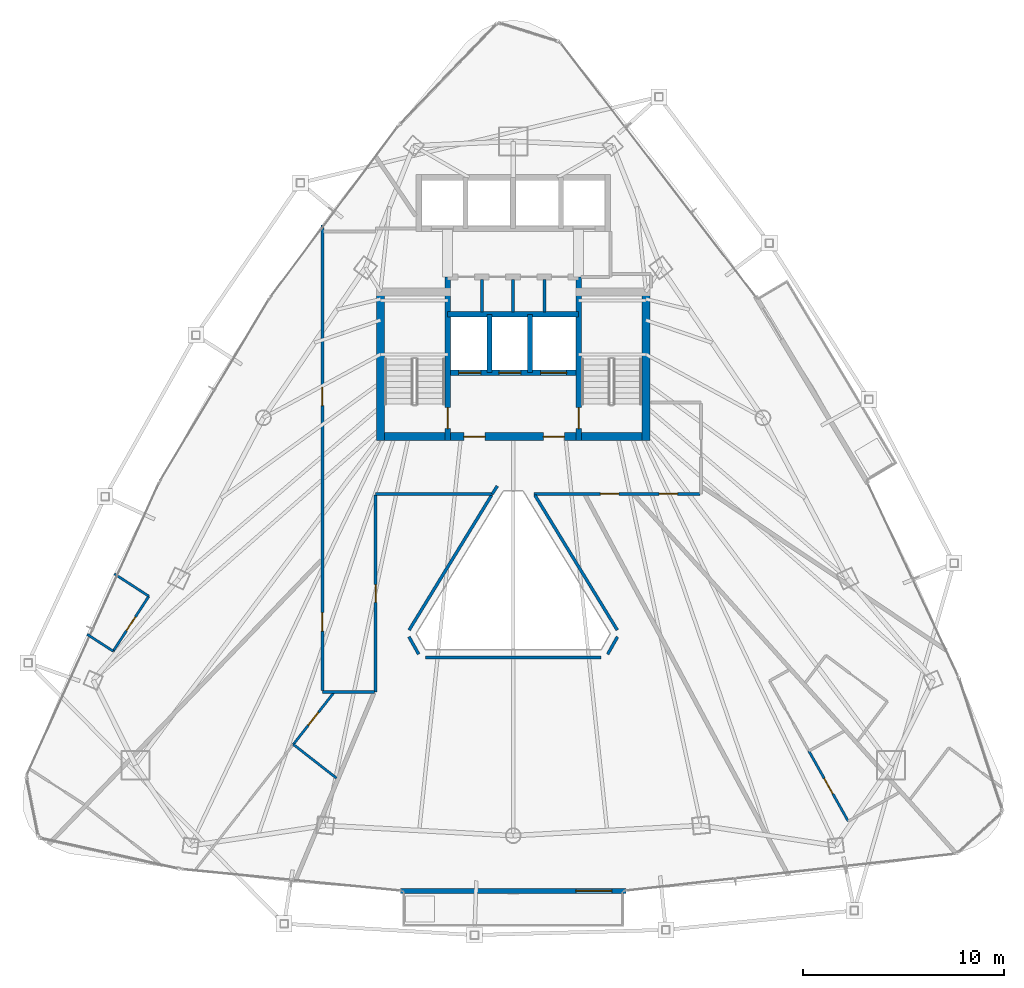
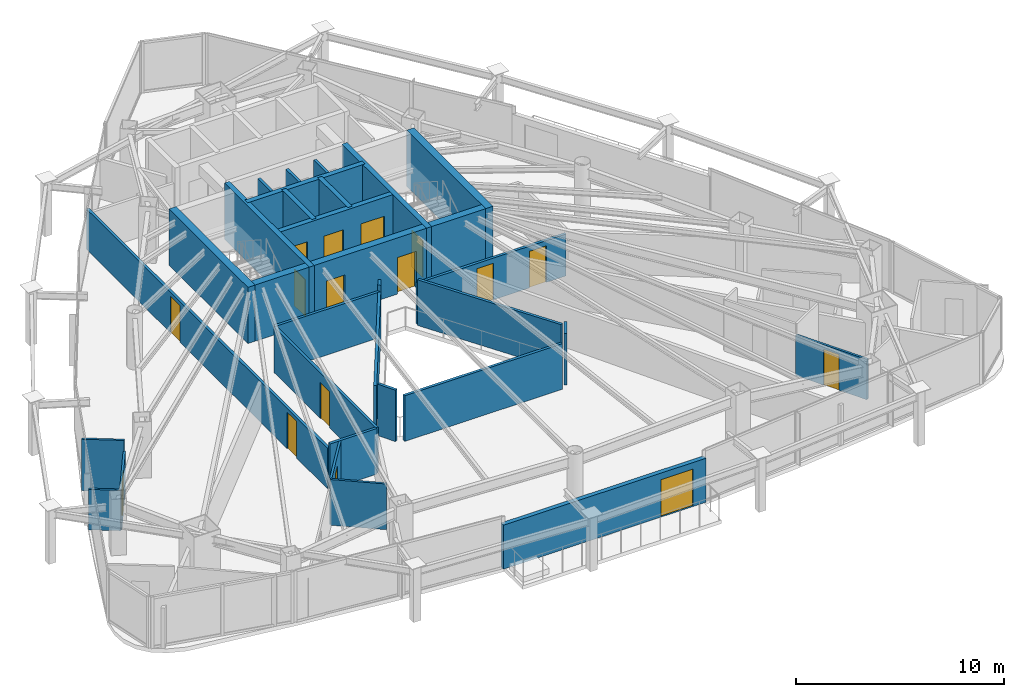
# One storey, part 26 of 31: 30 walls, 16 doors, 16 openings.
"""IFC4 building model written with IfcOpenShell, lengths in metres."""

from ifc_helpers import new_model, si_unit, direction, frame, frame_2d, origin, place, context, subcontext, project, spatial, rectangle, extrude, material, layer, layer_set, type_object, element, fill, save


model = new_model("IFC4")

# Units and contexts
model_context = context("Model", 3, precision=1e-05, world=origin(), true_north=direction((0.0, 1.0)))
body_context = subcontext(model_context, "Body", "Model", "MODEL_VIEW")
ifc_project = project(units=[si_unit("LENGTHUNIT", "METRE"), si_unit("AREAUNIT", "SQUARE_METRE"), si_unit("VOLUMEUNIT", "CUBIC_METRE"), si_unit("PLANEANGLEUNIT", "RADIAN"), si_unit("MASSUNIT", "GRAM", prefix="KILO")], contexts=[model_context])

# Site, building, storey
site_placement = place(None, origin())
site = spatial("IfcSite", under=ifc_project, at=site_placement, CompositionType="ELEMENT")
building_placement = place(site_placement, origin())
building = spatial("IfcBuilding", under=site, at=building_placement, Name="Orvanel Arch Residences", CompositionType="ELEMENT")
storey_placement = place(building_placement, frame((0.0, 0.0, 183.64990234375)))
storey = spatial("IfcBuildingStorey", under=building, at=storey_placement, Name="L52", CompositionType="ELEMENT", Elevation=183.64990234375)

# Wall, opening, door
ifc_material_1 = material(Name="Precast concrete N50 (50 MPa)", Category="concrete")
ifc_layer_1 = layer(ifc_material_1, 0.239990234375)
ifc_layer_set_1 = layer_set([ifc_layer_1], Name="Precast concrete N50 (50 MPa)")
wall_type_1 = type_object("IfcWallType", Name="EW-BAL-240", PredefinedType="SOLIDWALL", material=ifc_layer_set_1)
wall_1_placement = place(storey_placement, frame((27.385986328125, 4.096923828125, 0.0), z_axis=(0.0, 0.0, 1.0), x_axis=(1.0, 0.0, 0.0)))
wall_1 = element("IfcWall", 1, at=wall_1_placement, inside=storey, type_object=wall_type_1, Name="L52 Balcony Threshold Wall Face 2", PredefinedType="SOLIDWALL", context=body_context, shape_type="SweptSolid", body=[
    extrude(rectangle(XDim=11.22802734375, YDim=0.239990234375, at=frame_2d((5.614013671875, 0.0))), origin(), (0.0, 0.0, 1.0), 2.583984375),
])
opening_1_placement = place(wall_1_placement, frame((8.72998046875, 0.0, 0.0)))
opening_1 = element("IfcOpeningElement", 2, at=opening_1_placement, cuts=wall_1, Name="Opening DB-180", PredefinedType="OPENING", context=body_context, shape_type="SweptSolid", body=[
    extrude(rectangle(XDim=1.800048828125, YDim=2.199951171875, at=frame_2d((0.89990234375, 1.10009765625))), frame((0.0, 0.1298828125, 0.0), z_axis=(0.0, -1.0, 0.0), x_axis=(1.0, 0.0, 0.0)), (0.0, 0.0, 1.0), 0.260009765625),
])
ifc_material_2 = material(Name="Bronze-anodised aluminium AA6063-T6", Category="aluminium")
door_type_1 = type_object("IfcDoorType", Name="DR-BAL-1800", OperationType="NOTDEFINED", PredefinedType="DOOR", material=ifc_material_2)
door_1_placement = place(opening_1_placement, origin())
door_1 = element("IfcDoor", 3, at=door_1_placement, inside=storey, type_object=door_type_1, Name="DR-L52-BAL-F2 L52 Planted Balcony Access Door Face 2", OperationType="SINGLE_SWING_LEFT", OverallHeight=2.199951171875, OverallWidth=1.800048828125, PredefinedType="DOOR", context=body_context, shape_type="SweptSolid", body=[
    extrude(rectangle(XDim=1.800048828125, YDim=2.199951171875, at=frame_2d((0.89990234375, 1.10009765625))), frame((0.0, 0.02490234375, 0.0), z_axis=(0.0, -1.0, 0.0), x_axis=(1.0, 0.0, 0.0)), (0.0, 0.0, 1.0), 0.050048828125),
])
fill(opening_1, door_1)

# Walls
ifc_material_3 = material(Name="Concrete N50 (50 MPa)", Category="concrete")
ifc_layer_2 = layer(ifc_material_3, 0.25)
ifc_layer_set_2 = layer_set([ifc_layer_2], Name="Concrete N50 (50 MPa)")
wall_type_2 = type_object("IfcWallType", Name="SW-CORE-250", PredefinedType="SHEAR", material=ifc_layer_set_2)
for number, where, z_axis, x_axis, name in (
    (4, (31.824951171875, 29.889892578125, 0.0), (0.0, 0.0, 1.0), (0.0, 1.0, 0.0), "L52 Emergency Lift Inter-Shaft Wall F12"),
    (5, (33.824951171875, 29.889892578125, 0.0), (0.0, 0.0, 1.0), (0.0, 1.0, 0.0), "L52 Emergency Lift Inter-Shaft Wall F2G"),
):
    element("IfcWall", number, at=place(storey_placement, frame(where, z_axis=z_axis, x_axis=x_axis)), inside=storey, type_object=wall_type_2, Name=name, PredefinedType="SHEAR", context=body_context, shape_type="SweptSolid", body=[
        extrude(rectangle(XDim=2.900146484375, YDim=0.25, at=frame_2d((1.4501953125, 0.0))), origin(), (0.0, 0.0, 1.0), 3.300048828125),
    ])

# Wall, opening, door
ifc_material_4 = material(Name="Concrete S65 (65 MPa)", Category="concrete")
ifc_layer_3 = layer(ifc_material_4, 0.280029296875)
ifc_layer_set_3 = layer_set([ifc_layer_3], Name="Concrete S65 (65 MPa)")
wall_type_3 = type_object("IfcWallType", Name="SW-CORE-280", PredefinedType="SHEAR", material=ifc_layer_set_3)
wall_2_placement = place(storey_placement, frame((29.739990234375, 26.5, 0.0), z_axis=(0.0, 0.0, 1.0), x_axis=(0.0, 1.0, 0.0)))
wall_2 = element("IfcWall", 6, at=wall_2_placement, inside=storey, type_object=wall_type_3, Name="L52 West Inner Core Spine Shear Wall", PredefinedType="SHEAR", context=body_context, shape_type="SweptSolid", body=[
    extrude(rectangle(XDim=8.14990234375, YDim=0.280029296875, at=frame_2d((4.074951171875, 0.0))), origin(), (0.0, 0.0, 1.0), 3.300048828125),
])
opening_2_placement = place(wall_2_placement, frame((0.60009765625, 0.0, 0.0)))
opening_2 = element("IfcOpeningElement", 7, at=opening_2_placement, cuts=wall_2, Name="Opening DF-120", PredefinedType="OPENING", context=body_context, shape_type="SweptSolid", body=[
    extrude(rectangle(XDim=1.050048828125, YDim=2.14990234375, at=frame_2d((0.52490234375, 1.074951171875))), frame((0.0, 0.14990234375, 0.0), z_axis=(0.0, -1.0, 0.0), x_axis=(1.0, 0.0, 0.0)), (0.0, 0.0, 1.0), 0.300048828125),
])
ifc_material_5 = material(Name="Galvanised steel fire-resisting door assembly", Category="steel")
door_type_2 = type_object("IfcDoorType", Name="DR-FD120-1050", OperationType="NOTDEFINED", PredefinedType="DOOR", material=ifc_material_5)
door_2_placement = place(opening_2_placement, origin())
door_2 = element("IfcDoor", 8, at=door_2_placement, inside=storey, type_object=door_type_2, Name="DR-L52-ST1 L52 Stair 1 Fire Door", OperationType="SINGLE_SWING_LEFT", OverallHeight=2.14990234375, OverallWidth=1.050048828125, PredefinedType="DOOR", context=body_context, shape_type="SweptSolid", body=[
    extrude(rectangle(XDim=1.050048828125, YDim=2.14990234375, at=frame_2d((0.52490234375, 1.074951171875))), frame((0.0, 0.02490234375, 0.0), z_axis=(0.0, -1.0, 0.0), x_axis=(1.0, 0.0, 0.0)), (0.0, 0.0, 1.0), 0.050048828125),
])
fill(opening_2, door_2)

wall_3_placement = place(storey_placement, frame((36.260009765625, 26.5, 0.0), z_axis=(0.0, 0.0, 1.0), x_axis=(0.0, 1.0, 0.0)))
wall_3 = element("IfcWall", 9, at=wall_3_placement, inside=storey, type_object=wall_type_3, Name="L52 East Inner Core Spine Shear Wall", PredefinedType="SHEAR", context=body_context, shape_type="SweptSolid", body=[
    extrude(rectangle(XDim=8.14990234375, YDim=0.280029296875, at=frame_2d((4.074951171875, 0.0))), origin(), (0.0, 0.0, 1.0), 3.300048828125),
])
opening_3_placement = place(wall_3_placement, frame((0.60009765625, 0.0, 0.0)))
opening_3 = element("IfcOpeningElement", 10, at=opening_3_placement, cuts=wall_3, Name="Opening DF-120", PredefinedType="OPENING", context=body_context, shape_type="SweptSolid", body=[
    extrude(rectangle(XDim=1.050048828125, YDim=2.14990234375, at=frame_2d((0.52490234375, 1.074951171875))), frame((0.0, 0.14990234375, 0.0), z_axis=(0.0, -1.0, 0.0), x_axis=(1.0, 0.0, 0.0)), (0.0, 0.0, 1.0), 0.300048828125),
])
door_3_placement = place(opening_3_placement, origin())
door_3 = element("IfcDoor", 11, at=door_3_placement, inside=storey, type_object=door_type_2, Name="DR-L52-ST2 L52 Stair 2 Fire Door", OperationType="SINGLE_SWING_RIGHT", OverallHeight=2.14990234375, OverallWidth=1.050048828125, PredefinedType="DOOR", context=body_context, shape_type="SweptSolid", body=[
    extrude(rectangle(XDim=1.050048828125, YDim=2.14990234375, at=frame_2d((0.52490234375, 1.074951171875))), frame((0.0, 0.02490234375, 0.0), z_axis=(0.0, -1.0, 0.0), x_axis=(1.0, 0.0, 0.0)), (0.0, 0.0, 1.0), 0.050048828125),
])
fill(opening_3, door_3)

# Wall, openings, doors
wall_4_placement = place(storey_placement, frame((36.260009765625, 29.889892578125, 0.0), z_axis=(0.0, 0.0, 1.0), x_axis=(-1.0, 0.0, 0.0)))
wall_4 = element("IfcWall", 12, at=wall_4_placement, inside=storey, type_object=wall_type_3, Name="L52 Emergency Lift Front Core Shear Wall", PredefinedType="SHEAR", context=body_context, shape_type="SweptSolid", body=[
    extrude(rectangle(XDim=6.52001953125, YDim=0.280029296875, at=frame_2d((3.260009765625, 0.0))), origin(), (0.0, 0.0, 1.0), 3.300048828125),
])
opening_4_placement = place(wall_4_placement, frame((4.875, 0.0, 0.0)))
opening_4 = element("IfcOpeningElement", 13, at=opening_4_placement, cuts=wall_4, Name="Opening LD-110", PredefinedType="OPENING", context=body_context, shape_type="SweptSolid", body=[
    extrude(rectangle(XDim=1.10009765625, YDim=2.199951171875, at=frame_2d((0.550048828125, 1.10009765625))), frame((0.0, 0.14990234375, 0.0), z_axis=(0.0, -1.0, 0.0), x_axis=(1.0, 0.0, 0.0)), (0.0, 0.0, 1.0), 0.300048828125),
])
opening_5_placement = place(wall_4_placement, frame((2.875, 0.0, 0.0)))
opening_5 = element("IfcOpeningElement", 14, at=opening_5_placement, cuts=wall_4, Name="Opening LD-110", PredefinedType="OPENING", context=body_context, shape_type="SweptSolid", body=[
    extrude(rectangle(XDim=1.10009765625, YDim=2.199951171875, at=frame_2d((0.550048828125, 1.10009765625))), frame((0.0, 0.14990234375, 0.0), z_axis=(0.0, -1.0, 0.0), x_axis=(1.0, 0.0, 0.0)), (0.0, 0.0, 1.0), 0.300048828125),
])
opening_6_placement = place(wall_4_placement, frame((0.60009765625, 0.0, 0.0)))
opening_6 = element("IfcOpeningElement", 15, at=opening_6_placement, cuts=wall_4, Name="Opening LD-130", PredefinedType="OPENING", context=body_context, shape_type="SweptSolid", body=[
    extrude(rectangle(XDim=1.300048828125, YDim=2.199951171875, at=frame_2d((0.64990234375, 1.10009765625))), frame((0.0, 0.14990234375, 0.0), z_axis=(0.0, -1.0, 0.0), x_axis=(1.0, 0.0, 0.0)), (0.0, 0.0, 1.0), 0.300048828125),
])
door_type_3 = type_object("IfcDoorType", Name="DR-LFT-1100", OperationType="NOTDEFINED", PredefinedType="DOOR", material=ifc_material_5)
door_4_placement = place(opening_4_placement, origin())
door_4 = element("IfcDoor", 16, at=door_4_placement, inside=storey, type_object=door_type_3, Name="LD-F1-L52 L52 Lift F1 Sliding Landing Door", OperationType="DOUBLE_DOOR_SLIDING", OverallHeight=2.199951171875, OverallWidth=1.10009765625, PredefinedType="DOOR", context=body_context, shape_type="SweptSolid", body=[
    extrude(rectangle(XDim=1.10009765625, YDim=2.199951171875, at=frame_2d((0.550048828125, 1.10009765625))), frame((0.0, 0.02490234375, 0.0), z_axis=(0.0, -1.0, 0.0), x_axis=(1.0, 0.0, 0.0)), (0.0, 0.0, 1.0), 0.050048828125),
])
fill(opening_4, door_4)
door_5_placement = place(opening_5_placement, origin())
door_5 = element("IfcDoor", 17, at=door_5_placement, inside=storey, type_object=door_type_3, Name="LD-F2-L52 L52 Lift F2 Sliding Landing Door", OperationType="DOUBLE_DOOR_SLIDING", OverallHeight=2.199951171875, OverallWidth=1.10009765625, PredefinedType="DOOR", context=body_context, shape_type="SweptSolid", body=[
    extrude(rectangle(XDim=1.10009765625, YDim=2.199951171875, at=frame_2d((0.550048828125, 1.10009765625))), frame((0.0, 0.02490234375, 0.0), z_axis=(0.0, -1.0, 0.0), x_axis=(1.0, 0.0, 0.0)), (0.0, 0.0, 1.0), 0.050048828125),
])
fill(opening_5, door_5)
door_type_4 = type_object("IfcDoorType", Name="DR-LFT-1300", OperationType="NOTDEFINED", PredefinedType="DOOR", material=ifc_material_5)
door_6_placement = place(opening_6_placement, origin())
door_6 = element("IfcDoor", 18, at=door_6_placement, inside=storey, type_object=door_type_4, Name="LD-G1-L52 L52 Lift G1 Sliding Landing Door", OperationType="DOUBLE_DOOR_SLIDING", OverallHeight=2.199951171875, OverallWidth=1.300048828125, PredefinedType="DOOR", context=body_context, shape_type="SweptSolid", body=[
    extrude(rectangle(XDim=1.300048828125, YDim=2.199951171875, at=frame_2d((0.64990234375, 1.10009765625))), frame((0.0, 0.02490234375, 0.0), z_axis=(0.0, -1.0, 0.0), x_axis=(1.0, 0.0, 0.0)), (0.0, 0.0, 1.0), 0.050048828125),
])
fill(opening_6, door_6)

# Wall
wall_5_placement = place(storey_placement, frame((29.739990234375, 32.7900390625, 0.0), z_axis=(0.0, 0.0, 1.0), x_axis=(1.0, 0.0, 0.0)))
element("IfcWall", 19, at=wall_5_placement, inside=storey, type_object=wall_type_3, Name="L52 Emergency Lift Back Core Shear Wall", PredefinedType="SHEAR", context=body_context, shape_type="SweptSolid", body=[
    extrude(rectangle(XDim=6.52001953125, YDim=0.280029296875, at=frame_2d((3.260009765625, 0.0))), origin(), (0.0, 0.0, 1.0), 3.300048828125),
])

# Wall, openings, doors
ifc_layer_4 = layer(ifc_material_4, 0.39990234375)
ifc_layer_set_4 = layer_set([ifc_layer_4], Name="Concrete S65 (65 MPa)")
wall_type_4 = type_object("IfcWallType", Name="SW-CORE-400", PredefinedType="SHEAR", material=ifc_layer_set_4)
wall_6_placement = place(storey_placement, frame((26.199951171875, 26.699951171875, 0.0), z_axis=(0.0, 0.0, 1.0), x_axis=(1.0, 0.0, 0.0)))
wall_6 = element("IfcWall", 20, at=wall_6_placement, inside=storey, type_object=wall_type_4, Name="L52 South Core Shear Wall", PredefinedType="SHEAR", context=body_context, shape_type="SweptSolid", body=[
    extrude(rectangle(XDim=13.60009765625, YDim=0.39990234375, at=frame_2d((6.800048828125, 0.0))), origin(), (0.0, 0.0, 1.0), 3.300048828125),
])
opening_7_placement = place(wall_6_placement, frame((4.35009765625, 0.0, 0.0)))
opening_7 = element("IfcOpeningElement", 21, at=opening_7_placement, cuts=wall_6, Name="Opening DF-060", PredefinedType="OPENING", context=body_context, shape_type="SweptSolid", body=[
    extrude(rectangle(XDim=1.050048828125, YDim=2.14990234375, at=frame_2d((0.52490234375, 1.074951171875))), frame((0.0, 0.2099609375, 0.0), z_axis=(0.0, -1.0, 0.0), x_axis=(1.0, 0.0, 0.0)), (0.0, 0.0, 1.0), 0.419921875),
])
opening_8_placement = place(wall_6_placement, frame((8.300048828125, 0.0, 0.0)))
opening_8 = element("IfcOpeningElement", 22, at=opening_8_placement, cuts=wall_6, Name="Opening DF-060", PredefinedType="OPENING", context=body_context, shape_type="SweptSolid", body=[
    extrude(rectangle(XDim=1.050048828125, YDim=2.14990234375, at=frame_2d((0.52490234375, 1.074951171875))), frame((0.0, 0.2099609375, 0.0), z_axis=(0.0, -1.0, 0.0), x_axis=(1.0, 0.0, 0.0)), (0.0, 0.0, 1.0), 0.419921875),
])
door_type_5 = type_object("IfcDoorType", Name="DR-FD60-1050", OperationType="NOTDEFINED", PredefinedType="DOOR", material=ifc_material_5)
door_7_placement = place(opening_7_placement, origin())
door_7 = element("IfcDoor", 23, at=door_7_placement, inside=storey, type_object=door_type_5, Name="DR-L52-FFL-W L52 West Smoke Lobby Door", OperationType="SINGLE_SWING_LEFT", OverallHeight=2.14990234375, OverallWidth=1.050048828125, PredefinedType="DOOR", context=body_context, shape_type="SweptSolid", body=[
    extrude(rectangle(XDim=1.050048828125, YDim=2.14990234375, at=frame_2d((0.52490234375, 1.074951171875))), frame((0.0, 0.02490234375, 0.0), z_axis=(0.0, -1.0, 0.0), x_axis=(1.0, 0.0, 0.0)), (0.0, 0.0, 1.0), 0.050048828125),
])
fill(opening_7, door_7)
door_8_placement = place(opening_8_placement, origin())
door_8 = element("IfcDoor", 24, at=door_8_placement, inside=storey, type_object=door_type_5, Name="DR-L52-FFL-E L52 East Smoke Lobby Door", OperationType="SINGLE_SWING_RIGHT", OverallHeight=2.14990234375, OverallWidth=1.050048828125, PredefinedType="DOOR", context=body_context, shape_type="SweptSolid", body=[
    extrude(rectangle(XDim=1.050048828125, YDim=2.14990234375, at=frame_2d((0.52490234375, 1.074951171875))), frame((0.0, 0.02490234375, 0.0), z_axis=(0.0, -1.0, 0.0), x_axis=(1.0, 0.0, 0.0)), (0.0, 0.0, 1.0), 0.050048828125),
])
fill(opening_8, door_8)

# Walls
for number, where, z_axis, x_axis, name in (
    (25, (26.39990234375, 26.5, 0.0), (0.0, 0.0, 1.0), (0.0, 1.0, 0.0), "L52 West Stair Shear Wall"),
    (26, (39.60009765625, 26.5, 0.0), (0.0, 0.0, 1.0), (0.0, 1.0, 0.0), "L52 East Stair Shear Wall"),
):
    element("IfcWall", number, at=place(storey_placement, frame(where, z_axis=z_axis, x_axis=x_axis)), inside=storey, type_object=wall_type_4, Name=name, PredefinedType="SHEAR", context=body_context, shape_type="SweptSolid", body=[
        extrude(rectangle(XDim=7.60009765625, YDim=0.39990234375, at=frame_2d((3.800048828125, 0.0))), origin(), (0.0, 0.0, 1.0), 3.300048828125),
    ])
ifc_material_6 = material(Name="Fire-rated plasterboard lined steel stud partition", Category="steel")
ifc_layer_5 = layer(ifc_material_6, 0.14990234375)
ifc_layer_set_5 = layer_set([ifc_layer_5], Name="Fire-rated plasterboard lined steel stud partition")
wall_type_5 = type_object("IfcWallType", Name="W-COR-150", PredefinedType="PARTITIONING", material=ifc_layer_set_5)
wall_7_placement = place(storey_placement, frame((32.2060546875, 24.2451171875, 0.0), z_axis=(0.0, 0.0, 1.0), x_axis=(-0.531785592992, -0.84687902506, 0.0)))
element("IfcWall", 27, at=wall_7_placement, inside=storey, type_object=wall_type_5, Name="L52 Corridor Fire-Rated Partition", PredefinedType="PARTITIONING", context=body_context, shape_type="SweptSolid", body=[
    extrude(rectangle(XDim=0.466552734375, YDim=0.14990234375, at=frame_2d((0.2333984375, 0.0))), origin(), (0.0, 0.0, 1.0), 3.02001953125),
])
wall_8_placement = place(storey_placement, frame((31.9580078125, 23.85009765625, 0.0), z_axis=(0.0, 0.0, 1.0), x_axis=(-1.0, 0.0, 0.0)))
element("IfcWall", 28, at=wall_8_placement, inside=storey, type_object=wall_type_5, Name="L52 Corridor Fire-Rated Partition", PredefinedType="PARTITIONING", context=body_context, shape_type="SweptSolid", body=[
    extrude(rectangle(XDim=5.80810546875, YDim=0.14990234375, at=frame_2d((2.904052734375, 0.0))), origin(), (0.0, 0.0, 1.0), 2.68115234375),
])

# Wall, opening, door
wall_9_placement = place(storey_placement, frame((26.14990234375, 23.7900390625, 0.0), z_axis=(0.0, 0.0, 1.0), x_axis=(0.0, -1.0, 0.0)))
wall_9 = element("IfcWall", 29, at=wall_9_placement, inside=storey, type_object=wall_type_5, Name="L52 Corridor Fire-Rated Partition", PredefinedType="PARTITIONING", context=body_context, shape_type="SweptSolid", body=[
    extrude(rectangle(XDim=9.7900390625, YDim=0.14990234375, at=frame_2d((4.89501953125, 0.0))), origin(), (0.0, 0.0, 1.0), 2.68115234375),
])
opening_9_placement = place(wall_9_placement, frame((4.455078125, 0.0, 0.0)))
opening_9 = element("IfcOpeningElement", 30, at=opening_9_placement, cuts=wall_9, Name="Opening DI-088", PredefinedType="OPENING", context=body_context, shape_type="SweptSolid", body=[
    extrude(rectangle(XDim=0.8798828125, YDim=2.10009765625, at=frame_2d((0.43994140625, 1.050048828125))), frame((0.0, 0.0849609375, 0.0), z_axis=(0.0, -1.0, 0.0), x_axis=(1.0, 0.0, 0.0)), (0.0, 0.0, 1.0), 0.169921875),
])
ifc_material_7 = material(Name="Solid-core European oak veneer fire door leaf", Category="wood")
door_type_6 = type_object("IfcDoorType", Name="DR-INT-880", OperationType="NOTDEFINED", PredefinedType="DOOR", material=ifc_material_7)
door_9_placement = place(opening_9_placement, origin())
door_9 = element("IfcDoor", 31, at=door_9_placement, inside=storey, type_object=door_type_6, Name="DR-L52-RCP51-1 L52 Concierge Mail Reception 1 Door", OperationType="SINGLE_SWING_LEFT", OverallHeight=2.10009765625, OverallWidth=0.8798828125, PredefinedType="DOOR", context=body_context, shape_type="SweptSolid", body=[
    extrude(rectangle(XDim=0.8798828125, YDim=2.10009765625, at=frame_2d((0.43994140625, 1.050048828125))), frame((0.0, 0.02490234375, 0.0), z_axis=(0.0, -1.0, 0.0), x_axis=(1.0, 0.0, 0.0)), (0.0, 0.0, 1.0), 0.050048828125),
])
fill(opening_9, door_9)

# Wall
wall_10_placement = place(storey_placement, frame((26.090087890625, 14.0, 0.0), z_axis=(0.0, 0.0, 1.0), x_axis=(-1.0, 0.0, 0.0)))
element("IfcWall", 32, at=wall_10_placement, inside=storey, type_object=wall_type_5, Name="L52 Corridor Fire-Rated Partition", PredefinedType="PARTITIONING", context=body_context, shape_type="SweptSolid", body=[
    extrude(rectangle(XDim=2.590087890625, YDim=0.14990234375, at=frame_2d((1.294921875, 0.0))), origin(), (0.0, 0.0, 1.0), 2.68115234375),
])

# Wall, openings, doors
wall_11_placement = place(storey_placement, frame((23.5, 14.06005859375, 0.0), z_axis=(0.0, 0.0, 1.0), x_axis=(0.0, 1.0, 0.0)))
wall_11 = element("IfcWall", 33, at=wall_11_placement, inside=storey, type_object=wall_type_5, Name="L52 Corridor Fire-Rated Partition", PredefinedType="PARTITIONING", context=body_context, shape_type="SweptSolid", body=[
    extrude(rectangle(XDim=23.180908203125, YDim=0.14990234375, at=frame_2d((11.59033203125, 0.0))), origin(), (0.0, 0.0, 1.0), 2.373046875),
])
opening_10_placement = place(wall_11_placement, frame((14.18408203125, 0.0, 0.0)))
opening_10 = element("IfcOpeningElement", 34, at=opening_10_placement, cuts=wall_11, Name="Opening DA-092", PredefinedType="OPENING", context=body_context, shape_type="SweptSolid", body=[
    extrude(rectangle(XDim=0.919921875, YDim=2.14990234375, at=frame_2d((0.4599609375, 1.074951171875))), frame((0.0, 0.0849609375, 0.0), z_axis=(0.0, -1.0, 0.0), x_axis=(1.0, 0.0, 0.0)), (0.0, 0.0, 1.0), 0.169921875),
])
opening_11_placement = place(wall_11_placement, frame((2.9619140625, 0.0, 0.0)))
opening_11 = element("IfcOpeningElement", 35, at=opening_11_placement, cuts=wall_11, Name="Opening DA-092", PredefinedType="OPENING", context=body_context, shape_type="SweptSolid", body=[
    extrude(rectangle(XDim=0.919921875, YDim=2.14990234375, at=frame_2d((0.4599609375, 1.074951171875))), frame((0.0, 0.0849609375, 0.0), z_axis=(0.0, -1.0, 0.0), x_axis=(1.0, 0.0, 0.0)), (0.0, 0.0, 1.0), 0.169921875),
])
door_type_7 = type_object("IfcDoorType", Name="DR-APT-920", OperationType="NOTDEFINED", PredefinedType="DOOR", material=ifc_material_7)
door_10_placement = place(opening_10_placement, origin())
door_10 = element("IfcDoor", 36, at=door_10_placement, inside=storey, type_object=door_type_7, Name="DR-L52-A-ENT L52 Studio A Entrance Door", OperationType="SINGLE_SWING_RIGHT", OverallHeight=2.14990234375, OverallWidth=0.919921875, PredefinedType="DOOR", context=body_context, shape_type="SweptSolid", body=[
    extrude(rectangle(XDim=0.919921875, YDim=2.14990234375, at=frame_2d((0.4599609375, 1.074951171875))), frame((0.0, 0.02490234375, 0.0), z_axis=(0.0, -1.0, 0.0), x_axis=(1.0, 0.0, 0.0)), (0.0, 0.0, 1.0), 0.050048828125),
])
fill(opening_10, door_10)
door_11_placement = place(opening_11_placement, origin())
door_11 = element("IfcDoor", 37, at=door_11_placement, inside=storey, type_object=door_type_7, Name="DR-L52-B-ENT L52 Flat B Entrance Door", OperationType="SINGLE_SWING_LEFT", OverallHeight=2.14990234375, OverallWidth=0.919921875, PredefinedType="DOOR", context=body_context, shape_type="SweptSolid", body=[
    extrude(rectangle(XDim=0.919921875, YDim=2.14990234375, at=frame_2d((0.4599609375, 1.074951171875))), frame((0.0, 0.02490234375, 0.0), z_axis=(0.0, -1.0, 0.0), x_axis=(1.0, 0.0, 0.0)), (0.0, 0.0, 1.0), 0.050048828125),
])
fill(opening_11, door_11)

wall_12_placement = place(storey_placement, frame((42.2900390625, 23.85009765625, 0.0), z_axis=(0.0, 0.0, 1.0), x_axis=(-1.0, 0.0, 0.0)))
wall_12 = element("IfcWall", 38, at=wall_12_placement, inside=storey, type_object=wall_type_5, Name="L52 Corridor Fire-Rated Partition", PredefinedType="PARTITIONING", context=body_context, shape_type="SweptSolid", body=[
    extrude(rectangle(XDim=8.248046875, YDim=0.14990234375, at=frame_2d((4.1240234375, 0.0))), origin(), (0.0, 0.0, 1.0), 2.4521484375),
])
opening_12_placement = place(wall_12_placement, frame((1.10302734375, 0.0, 0.0)))
opening_12 = element("IfcOpeningElement", 39, at=opening_12_placement, cuts=wall_12, Name="Opening DA-092", PredefinedType="OPENING", context=body_context, shape_type="SweptSolid", body=[
    extrude(rectangle(XDim=0.919921875, YDim=2.14990234375, at=frame_2d((0.4599609375, 1.074951171875))), frame((0.0, 0.0849609375, 0.0), z_axis=(0.0, -1.0, 0.0), x_axis=(1.0, 0.0, 0.0)), (0.0, 0.0, 1.0), 0.169921875),
])
opening_13_placement = place(wall_12_placement, frame((4.029052734375, 0.0, 0.0)))
opening_13 = element("IfcOpeningElement", 40, at=opening_13_placement, cuts=wall_12, Name="Opening DA-092", PredefinedType="OPENING", context=body_context, shape_type="SweptSolid", body=[
    extrude(rectangle(XDim=0.919921875, YDim=2.14990234375, at=frame_2d((0.4599609375, 1.074951171875))), frame((0.0, 0.0849609375, 0.0), z_axis=(0.0, -1.0, 0.0), x_axis=(1.0, 0.0, 0.0)), (0.0, 0.0, 1.0), 0.169921875),
])
door_12_placement = place(opening_12_placement, origin())
door_12 = element("IfcDoor", 41, at=door_12_placement, inside=storey, type_object=door_type_7, Name="DR-L52-C-ENT L52 Studio C Entrance Door", OperationType="SINGLE_SWING_RIGHT", OverallHeight=2.14990234375, OverallWidth=0.919921875, PredefinedType="DOOR", context=body_context, shape_type="SweptSolid", body=[
    extrude(rectangle(XDim=0.919921875, YDim=2.14990234375, at=frame_2d((0.4599609375, 1.074951171875))), frame((0.0, 0.02490234375, 0.0), z_axis=(0.0, -1.0, 0.0), x_axis=(1.0, 0.0, 0.0)), (0.0, 0.0, 1.0), 0.050048828125),
])
fill(opening_12, door_12)
door_13_placement = place(opening_13_placement, origin())
door_13 = element("IfcDoor", 42, at=door_13_placement, inside=storey, type_object=door_type_7, Name="DR-L52-D-ENT L52 Studio D Entrance Door", OperationType="SINGLE_SWING_LEFT", OverallHeight=2.14990234375, OverallWidth=0.919921875, PredefinedType="DOOR", context=body_context, shape_type="SweptSolid", body=[
    extrude(rectangle(XDim=0.919921875, YDim=2.14990234375, at=frame_2d((0.4599609375, 1.074951171875))), frame((0.0, 0.02490234375, 0.0), z_axis=(0.0, -1.0, 0.0), x_axis=(1.0, 0.0, 0.0)), (0.0, 0.0, 1.0), 0.050048828125),
])
fill(opening_13, door_13)

# Walls
wall_13_placement = place(storey_placement, frame((34.0791015625, 23.7900390625, 0.0), z_axis=(0.0, 0.0, 1.0), x_axis=(0.521278062647, -0.853386888465, 0.0)))
element("IfcWall", 43, at=wall_13_placement, inside=storey, type_object=wall_type_5, Name="L52 Atrium Overlook Glazed Partition", PredefinedType="PARTITIONING", context=body_context, shape_type="SweptSolid", body=[
    extrude(rectangle(XDim=7.86865234375, YDim=0.14990234375, at=frame_2d((3.934326171875, 0.0))), origin(), (0.0, 0.0, 1.0), 2.68115234375),
])
wall_14_placement = place(storey_placement, frame((38.18798828125, 16.739013671875, 0.0), z_axis=(0.0, 0.0, 1.0), x_axis=(-0.489479004575, -0.872015082485, 0.0)))
element("IfcWall", 44, at=wall_14_placement, inside=storey, type_object=wall_type_5, Name="L52 Atrium Overlook Glazed Partition", PredefinedType="PARTITIONING", context=body_context, shape_type="SweptSolid", body=[
    extrude(rectangle(XDim=0.9931640625, YDim=0.14990234375, at=frame_2d((0.49658203125, 0.0))), origin(), (0.0, 0.0, 1.0), 3.02001953125),
])
wall_15_placement = place(storey_placement, frame((37.373046875, 15.700927734375, 0.0), z_axis=(0.0, 0.0, 1.0), x_axis=(-1.0, 0.0, 0.0)))
element("IfcWall", 45, at=wall_15_placement, inside=storey, type_object=wall_type_5, Name="L52 Atrium Overlook Glazed Partition", PredefinedType="PARTITIONING", context=body_context, shape_type="SweptSolid", body=[
    extrude(rectangle(XDim=8.74609375, YDim=0.14990234375, at=frame_2d((4.373046875, 0.0))), origin(), (0.0, 0.0, 1.0), 2.68115234375),
])
wall_16_placement = place(storey_placement, frame((28.298095703125, 15.873046875, 0.0), z_axis=(0.0, 0.0, 1.0), x_axis=(-0.489479004575, 0.872015082485, 0.0)))
element("IfcWall", 46, at=wall_16_placement, inside=storey, type_object=wall_type_5, Name="L52 Atrium Overlook Glazed Partition", PredefinedType="PARTITIONING", context=body_context, shape_type="SweptSolid", body=[
    extrude(rectangle(XDim=0.9931640625, YDim=0.14990234375, at=frame_2d((0.49658203125, 0.0))), origin(), (0.0, 0.0, 1.0), 3.02001953125),
])
wall_17_placement = place(storey_placement, frame((27.819091796875, 17.074951171875, 0.0), z_axis=(0.0, 0.0, 1.0), x_axis=(0.52184261318, 0.853041785066, 0.0)))
element("IfcWall", 47, at=wall_17_placement, inside=storey, type_object=wall_type_5, Name="L52 Atrium Overlook Glazed Partition", PredefinedType="PARTITIONING", context=body_context, shape_type="SweptSolid", body=[
    extrude(rectangle(XDim=7.871826171875, YDim=0.14990234375, at=frame_2d((3.93603515625, 0.0))), origin(), (0.0, 0.0, 1.0), 2.68115234375),
])
ifc_layer_6 = layer(ifc_material_6, 0.14990234375)
ifc_layer_set_6 = layer_set([ifc_layer_6], Name="Fire-rated plasterboard lined steel stud partition")
wall_type_6 = type_object("IfcWallType", Name="W-ST-150", PredefinedType="PARTITIONING", material=ifc_layer_set_6)
for number, where, z_axis, x_axis, name in (
    (48, (31.449951171875, 32.9150390625, 0.0), (0.0, 0.0, 1.0), (0.0, 1.0, 0.0), "L52 Core Service Partition 1"),
    (49, (33.0, 32.9150390625, 0.0), (0.0, 0.0, 1.0), (0.0, 1.0, 0.0), "L52 Core Service Partition 2"),
    (50, (34.550048828125, 32.9150390625, 0.0), (0.0, 0.0, 1.0), (0.0, 1.0, 0.0), "L52 Core Service Partition 3"),
):
    element("IfcWall", number, at=place(storey_placement, frame(where, z_axis=z_axis, x_axis=x_axis)), inside=storey, type_object=wall_type_6, Name=name, PredefinedType="PARTITIONING", context=body_context, shape_type="SweptSolid", body=[
        extrude(rectangle(XDim=1.60986328125, YDim=0.14990234375, at=frame_2d((0.804931640625, 0.0))), origin(), (0.0, 0.0, 1.0), 3.02001953125),
    ])
ifc_material_8 = material(Name="Acoustic plasterboard lined twin-stud partition", Category="gypsum")
ifc_layer_7 = layer(ifc_material_8, 0.1201171875)
ifc_layer_set_7 = layer_set([ifc_layer_7], Name="Acoustic plasterboard lined twin-stud partition")
wall_type_7 = type_object("IfcWallType", Name="W-WET-120", PredefinedType="PARTITIONING", material=ifc_layer_set_7)
wall_18_placement = place(storey_placement, frame((11.797119140625, 16.864013671875, 0.0), z_axis=(0.0, 0.0, 1.0), x_axis=(0.838732745172, -0.544543278516, 0.0)))
element("IfcWall", 51, at=wall_18_placement, inside=storey, type_object=wall_type_7, Name="L52 Studio A Bathroom Partition", PredefinedType="PARTITIONING", context=body_context, shape_type="SweptSolid", body=[
    extrude(rectangle(XDim=1.542724609375, YDim=0.1201171875, at=frame_2d((0.771484375, 0.0))), origin(), (0.0, 0.0, 1.0), 2.373046875),
])

# Wall, opening, door
wall_19_placement = place(storey_placement, frame((13.091064453125, 16.02392578125, 0.0), z_axis=(0.0, 0.0, 1.0), x_axis=(0.544011633561, 0.839077673729, 0.0)))
wall_19 = element("IfcWall", 52, at=wall_19_placement, inside=storey, type_object=wall_type_7, Name="L52 Studio A Bathroom Partition", PredefinedType="PARTITIONING", context=body_context, shape_type="SweptSolid", body=[
    extrude(rectangle(XDim=3.2607421875, YDim=0.1201171875, at=frame_2d((1.63037109375, 0.0))), origin(), (0.0, 0.0, 1.0), 2.373046875),
])
opening_14_placement = place(wall_19_placement, frame((1.219970703125, 0.0, 0.0)))
opening_14 = element("IfcOpeningElement", 53, at=opening_14_placement, cuts=wall_19, Name="Opening DW-082", PredefinedType="OPENING", context=body_context, shape_type="SweptSolid", body=[
    extrude(rectangle(XDim=0.820068359375, YDim=2.10009765625, at=frame_2d((0.41015625, 1.050048828125))), frame((0.0, 0.070068359375, 0.0), z_axis=(0.0, -1.0, 0.0), x_axis=(1.0, 0.0, 0.0)), (0.0, 0.0, 1.0), 0.14013671875),
])
door_type_8 = type_object("IfcDoorType", Name="DR-WET-820", OperationType="NOTDEFINED", PredefinedType="DOOR", material=ifc_material_7)
door_14_placement = place(opening_14_placement, origin())
door_14 = element("IfcDoor", 54, at=door_14_placement, inside=storey, type_object=door_type_8, Name="DR-L52-A-BATH L52 Studio A Bathroom Door", OperationType="SINGLE_SWING_RIGHT", OverallHeight=2.10009765625, OverallWidth=0.820068359375, PredefinedType="DOOR", context=body_context, shape_type="SweptSolid", body=[
    extrude(rectangle(XDim=0.820068359375, YDim=2.10009765625, at=frame_2d((0.41015625, 1.050048828125))), frame((0.0, 0.02490234375, 0.0), z_axis=(0.0, -1.0, 0.0), x_axis=(1.0, 0.0, 0.0)), (0.0, 0.0, 1.0), 0.050048828125),
])
fill(opening_14, door_14)

# Wall
wall_20_placement = place(storey_placement, frame((14.864990234375, 18.760009765625, 0.0), z_axis=(0.0, 0.0, 1.0), x_axis=(-0.838903880254, 0.544279596986, 0.0)))
element("IfcWall", 55, at=wall_20_placement, inside=storey, type_object=wall_type_7, Name="L52 Studio A Bathroom Partition", PredefinedType="PARTITIONING", context=body_context, shape_type="SweptSolid", body=[
    extrude(rectangle(XDim=2.046875, YDim=0.1201171875, at=frame_2d((1.0234375, 0.0))), origin(), (0.0, 0.0, 1.0), 3.02001953125),
])

# Wall, opening, door
wall_21_placement = place(storey_placement, frame((24.053955078125, 13.93994140625, 0.0), z_axis=(0.0, 0.0, 1.0), x_axis=(-0.615841255229, -0.787870261121, 0.0)))
wall_21 = element("IfcWall", 56, at=wall_21_placement, inside=storey, type_object=wall_type_7, Name="L52 Flat B Bathroom Partition", PredefinedType="PARTITIONING", context=body_context, shape_type="SweptSolid", body=[
    extrude(rectangle(XDim=3.242919921875, YDim=0.1201171875, at=frame_2d((1.62158203125, 0.0))), origin(), (0.0, 0.0, 1.0), 2.68115234375),
])
opening_15_placement = place(wall_21_placement, frame((1.2109375, 0.0, 0.0)))
opening_15 = element("IfcOpeningElement", 57, at=opening_15_placement, cuts=wall_21, Name="Opening DW-082", PredefinedType="OPENING", context=body_context, shape_type="SweptSolid", body=[
    extrude(rectangle(XDim=0.820068359375, YDim=2.10009765625, at=frame_2d((0.41015625, 1.050048828125))), frame((0.0, 0.070068359375, 0.0), z_axis=(0.0, -1.0, 0.0), x_axis=(1.0, 0.0, 0.0)), (0.0, 0.0, 1.0), 0.14013671875),
])
door_15_placement = place(opening_15_placement, origin())
door_15 = element("IfcDoor", 58, at=door_15_placement, inside=storey, type_object=door_type_8, Name="DR-L52-B-BATH L52 Flat B Bathroom Door", OperationType="SINGLE_SWING_RIGHT", OverallHeight=2.10009765625, OverallWidth=0.820068359375, PredefinedType="DOOR", context=body_context, shape_type="SweptSolid", body=[
    extrude(rectangle(XDim=0.820068359375, YDim=2.10009765625, at=frame_2d((0.41015625, 1.050048828125))), frame((0.0, 0.02490234375, 0.0), z_axis=(0.0, -1.0, 0.0), x_axis=(1.0, 0.0, 0.0)), (0.0, 0.0, 1.0), 0.050048828125),
])
fill(opening_15, door_15)

# Wall
wall_22_placement = place(storey_placement, frame((24.205078125, 9.70703125, 0.0), z_axis=(0.0, 0.0, 1.0), x_axis=(-0.788077327334, 0.615576255343, 0.0)))
element("IfcWall", 59, at=wall_22_placement, inside=storey, type_object=wall_type_7, Name="L52 Flat B Bathroom Partition", PredefinedType="PARTITIONING", context=body_context, shape_type="SweptSolid", body=[
    extrude(rectangle(XDim=2.725830078125, YDim=0.1201171875, at=frame_2d((1.36279296875, 0.0))), origin(), (0.0, 0.0, 1.0), 2.68115234375),
])

# Wall, opening, door
wall_23_placement = place(storey_placement, frame((47.714111328125, 11.055908203125, 0.0), z_axis=(0.0, 0.0, 1.0), x_axis=(0.489058521283, -0.87225097464, 0.0)))
wall_23 = element("IfcWall", 60, at=wall_23_placement, inside=storey, type_object=wall_type_7, Name="L52 Studio D Internal Partition", PredefinedType="PARTITIONING", context=body_context, shape_type="SweptSolid", body=[
    extrude(rectangle(XDim=4.001220703125, YDim=0.1201171875, at=frame_2d((2.00048828125, 0.0))), origin(), (0.0, 0.0, 1.0), 2.373046875),
])
opening_16_placement = place(wall_23_placement, frame((1.56103515625, 0.0, 0.0)))
opening_16 = element("IfcOpeningElement", 61, at=opening_16_placement, cuts=wall_23, Name="Opening DI-088", PredefinedType="OPENING", context=body_context, shape_type="SweptSolid", body=[
    extrude(rectangle(XDim=0.8798828125, YDim=2.10009765625, at=frame_2d((0.43994140625, 1.050048828125))), frame((0.0, 0.070068359375, 0.0), z_axis=(0.0, -1.0, 0.0), x_axis=(1.0, 0.0, 0.0)), (0.0, 0.0, 1.0), 0.14013671875),
])
door_16_placement = place(opening_16_placement, origin())
door_16 = element("IfcDoor", 62, at=door_16_placement, inside=storey, type_object=door_type_6, Name="DR-L52-D-KIT L52 Studio D Kitchenette Door", OperationType="SINGLE_SWING_LEFT", OverallHeight=2.10009765625, OverallWidth=0.8798828125, PredefinedType="DOOR", context=body_context, shape_type="SweptSolid", body=[
    extrude(rectangle(XDim=0.8798828125, YDim=2.10009765625, at=frame_2d((0.43994140625, 1.050048828125))), frame((0.0, 0.02490234375, 0.0), z_axis=(0.0, -1.0, 0.0), x_axis=(1.0, 0.0, 0.0)), (0.0, 0.0, 1.0), 0.050048828125),
])
fill(opening_16, door_16)

save(model, "model.ifc")
